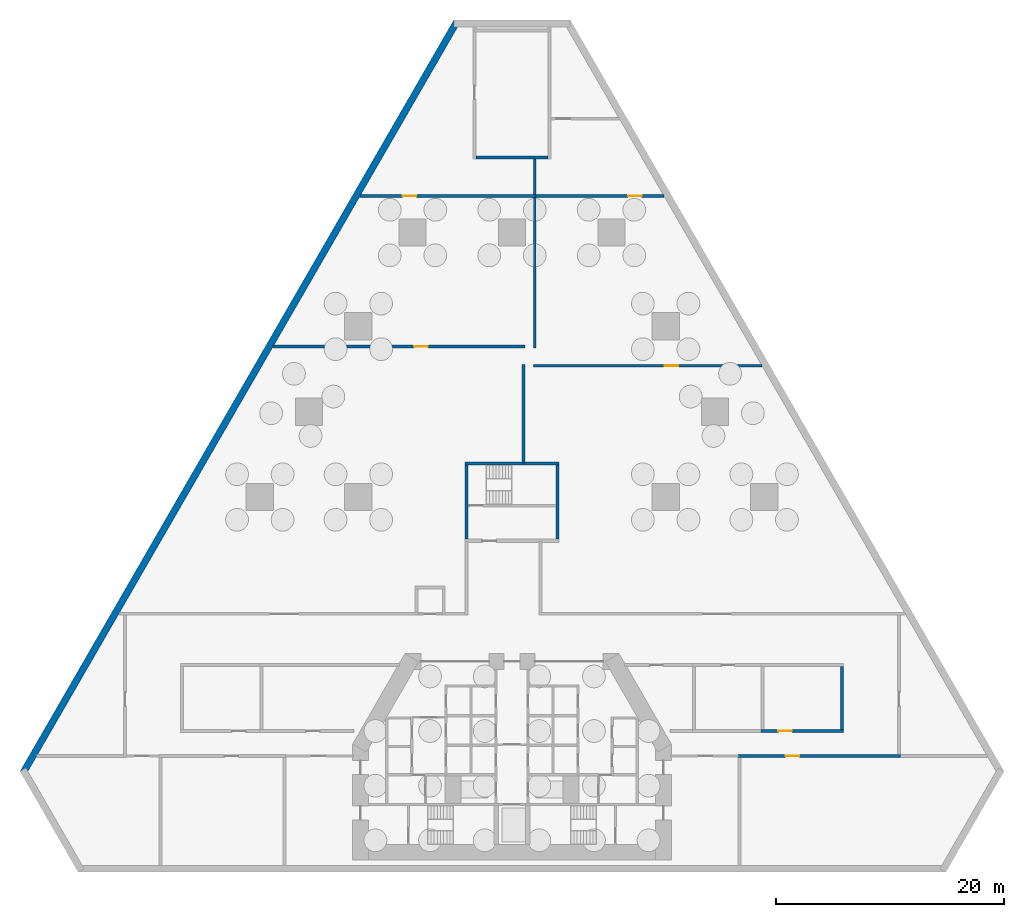
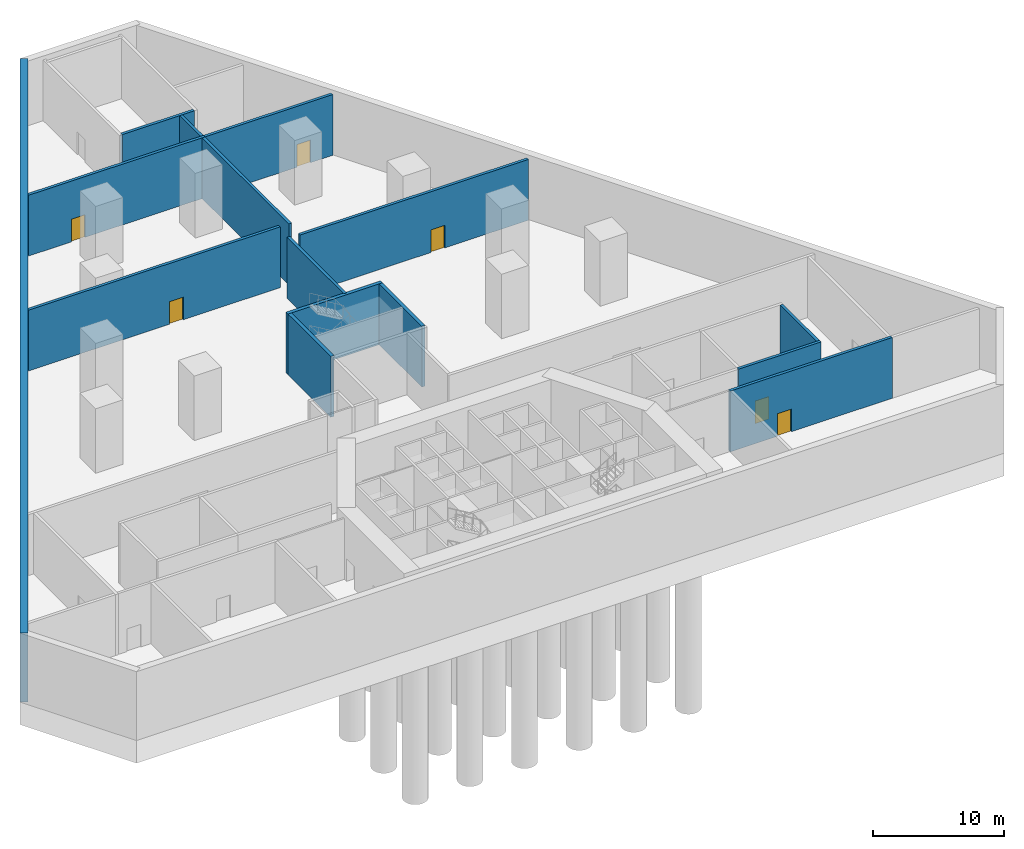
# One storey, part 5 of 8: 15 walls, 6 doors, 6 openings.
"""IFC4 building model written with IfcOpenShell, lengths in metres."""

import ifcopenshell
import ifcopenshell.guid

model = None  # the IFC model being written
_history = None  # IfcOwnerHistory: only IFC2X3 demands one
_inside = {}  # id of a spatial element -> (the spatial element, [elements in it])
_under = {}  # id of a project, library or spatial element -> (it, [spatial elements below it])
_declared = {}  # id of a project -> (the project, [libraries it declares])
_typed = {}  # id of a type object -> (the type object, [elements of that type])
_made_of = {}  # id of a material, layer set ... -> (it, [elements and type objects made of it])


def new_model(schema):
    """Start an empty IFC model of exactly this schema.

    Asked for "IFC4X3", IfcOpenShell would pick the latest addendum, in which some entities
    have other attributes; the version numbers below select the first issue.
    IFC2X3 requires an IfcOwnerHistory on every rooted entity: one is made here for all.
    """
    global model, _history
    if schema == "IFC4X3":
        model = ifcopenshell.file(schema_version=(4, 3, 0, 0))
    else:
        model = ifcopenshell.file(schema=schema)
    _inside.clear()
    _under.clear()
    _declared.clear()
    _typed.clear()
    _made_of.clear()
    _history = None
    if model.schema == "IFC2X3":
        org = make("IfcOrganization", Name="unknown")
        user = make(
            "IfcPersonAndOrganization",
            ThePerson=make("IfcPerson", FamilyName="unknown"),
            TheOrganization=org,
        )
        app = make(
            "IfcApplication",
            ApplicationDeveloper=org,
            Version="unknown",
            ApplicationFullName="unknown",
            ApplicationIdentifier="unknown",
        )
        _history = make(
            "IfcOwnerHistory",
            OwningUser=user,
            OwningApplication=app,
            ChangeAction="ADDED",
            CreationDate=0,
        )
    return model


def make(cls, **values):
    """One entity of the class cls with the attributes given. An attribute that is None is left unset."""
    return model.create_entity(
        cls, **{name: value for name, value in values.items() if value is not None}
    )


def rooted(cls, **values):
    """An entity with a GlobalId (a new one), such as an element, a storey or a relation."""
    return make(cls, GlobalId=ifcopenshell.guid.new(), OwnerHistory=_history, **values)


def si_unit(unit_type, name, prefix=None):
    """IfcSIUnit, for example si_unit("LENGTHUNIT", "METRE", prefix="MILLI")."""
    return make("IfcSIUnit", UnitType=unit_type, Prefix=prefix, Name=name)


def assignment(units):
    """IfcUnitAssignment: the units of a project."""
    return None if units is None else make("IfcUnitAssignment", Units=units)


def point(xyz):
    """IfcCartesianPoint."""
    return None if xyz is None else make("IfcCartesianPoint", Coordinates=xyz)


def direction(xyz):
    """IfcDirection."""
    return None if xyz is None else make("IfcDirection", DirectionRatios=xyz)


def frame(location, z_axis=None, x_axis=None):
    """IfcAxis2Placement3D, a coordinate frame: its origin and axes. An axis left out is left unset."""
    return make(
        "IfcAxis2Placement3D",
        Location=point(location),
        Axis=direction(z_axis),
        RefDirection=direction(x_axis),
    )


def frame_2d(location, x_axis=None):
    """IfcAxis2Placement2D, a coordinate frame in the plane: its origin and x axis."""
    return make(
        "IfcAxis2Placement2D", Location=point(location), RefDirection=direction(x_axis)
    )


def origin():
    """The frame at (0, 0, 0) with its axes left unset."""
    return frame((0.0, 0.0, 0.0))


def place(relative_to, where):
    """IfcLocalPlacement: puts the frame where relative to a parent placement (None: the world)."""
    return make(
        "IfcLocalPlacement", PlacementRelTo=relative_to, RelativePlacement=where
    )


def context(
    kind, dimensions, precision=None, world=None, true_north=None, identifier=None
):
    """IfcGeometricRepresentationContext, for example the 3D "Model" context."""
    return make(
        "IfcGeometricRepresentationContext",
        ContextIdentifier=identifier,
        ContextType=kind,
        CoordinateSpaceDimension=dimensions,
        Precision=precision,
        WorldCoordinateSystem=world,
        TrueNorth=true_north,
    )


def subcontext(parent, identifier, kind, view, scale=None):
    """IfcGeometricRepresentationSubContext, for example "Body" below "Model"."""
    return make(
        "IfcGeometricRepresentationSubContext",
        ContextIdentifier=identifier,
        ContextType=kind,
        ParentContext=parent,
        TargetScale=scale,
        TargetView=view,
    )


def project(units=None, contexts=None):
    """IfcProject with its units and contexts."""
    return rooted(
        "IfcProject",
        Name="project",
        RepresentationContexts=contexts,
        UnitsInContext=assignment(units),
    )


def spatial(cls, under=None, at=None, **own):
    """A site, building, storey or space (cls), placed at a placement, below another one or the project."""
    s = rooted(cls, ObjectPlacement=at, **own)
    if under is not None:
        _under.setdefault(under.id(), (under, []))[1].append(s)
    return s


def profile(cls, at=None, kind="AREA", **sizes):
    """A parametric profile (cls). Its sizes go by their IFC names, for example OverallWidth=200.0."""
    return make(cls, ProfileType=kind, Position=at, **sizes)


def rectangle(**sizes):
    """IfcRectangleProfileDef."""
    return profile("IfcRectangleProfileDef", **sizes)


def extrude(swept, where, along, depth):
    """IfcExtrudedAreaSolid: the profile swept, set in the frame where, extruded along a direction by depth."""
    return make(
        "IfcExtrudedAreaSolid",
        SweptArea=swept,
        Position=where,
        ExtrudedDirection=direction(along),
        Depth=depth,
    )


def shape(context_of_items, identifier, shape_type, items):
    """IfcShapeRepresentation: the items that make up one representation, for example the "Body"."""
    return make(
        "IfcShapeRepresentation",
        ContextOfItems=context_of_items,
        RepresentationIdentifier=identifier,
        RepresentationType=shape_type,
        Items=items,
    )


def material(Name=None, Category=None):
    """IfcMaterial."""
    return make("IfcMaterial", Name=Name, Category=Category)


def layer(
    of_material, thickness, ventilated=None, Name=None, Category=None, Priority=None
):
    """IfcMaterialLayer: one layer of a wall or slab, of a material (None: an air gap)."""
    return make(
        "IfcMaterialLayer",
        Material=of_material,
        LayerThickness=thickness,
        IsVentilated=ventilated,
        Name=Name,
        Category=Category,
        Priority=Priority,
    )


def layer_set(layers, Name=None):
    """IfcMaterialLayerSet."""
    return make("IfcMaterialLayerSet", MaterialLayers=layers, LayerSetName=Name)


def made_of(thing, what):
    """Note that an element or type object is made of a material, layer set ...; save() writes the relation."""
    if what is not None:
        _made_of.setdefault(what.id(), (what, []))[1].append(thing)
    return thing


def type_object(cls, material=None, **own):
    """A type object (cls), such as IfcWallType, which elements share."""
    return made_of(rooted(cls, **own), material)


def element(
    cls,
    number,
    at=None,
    inside=None,
    cuts=None,
    type_object=None,
    material=None,
    context=None,
    identifier="Body",
    shape_type=None,
    held_by="IfcProductDefinitionShape",
    body=None,
    shapes=None,
    **own,
):
    """One element of the class cls, such as IfcWall. Its Tag is "e" and its number.

    at: its placement. inside: the storey or other place that contains it. cuts: it is an
    opening in that element (IfcRelVoidsElement). A single representation is given by context,
    identifier, shape_type and body (its items); several are given by shapes. held_by: the class
    of the entity that holds the representations. save() writes the other relations.
    """
    e = rooted(cls, Tag="e%d" % number, ObjectPlacement=at, **own)
    if body is not None:
        shapes = [shape(context, identifier, shape_type, body)]
    if shapes is not None:
        e.Representation = make(held_by, Representations=shapes)
    if inside is not None:
        _inside.setdefault(inside.id(), (inside, []))[1].append(e)
    if cuts is not None:
        rooted(
            "IfcRelVoidsElement", RelatingBuildingElement=cuts, RelatedOpeningElement=e
        )
    if type_object is not None:
        _typed.setdefault(type_object.id(), (type_object, []))[1].append(e)
    return made_of(e, material)


def fill(opening, filler):
    """IfcRelFillsElement: the door or window that sits in an opening."""
    return rooted(
        "IfcRelFillsElement",
        RelatingOpeningElement=opening,
        RelatedBuildingElement=filler,
    )


def aggregate(whole, parts):
    """IfcRelAggregates: a whole, such as a stair, and the parts it consists of."""
    return rooted("IfcRelAggregates", RelatingObject=whole, RelatedObjects=parts)


def save(model, path):
    """Write the relations noted so far, then the file.

    IfcRelAggregates (storeys below a building ...), IfcRelContainedInSpatialStructure (elements
    in a storey), IfcRelDefinesByType, IfcRelAssociatesMaterial and IfcRelDeclares: one each for
    every whole, place, type object, material and project.
    """
    for whole, parts in _under.values():
        aggregate(whole, parts)
    for where, things in _inside.values():
        rooted(
            "IfcRelContainedInSpatialStructure",
            RelatedElements=things,
            RelatingStructure=where,
        )
    for kind, things in _typed.values():
        rooted("IfcRelDefinesByType", RelatedObjects=things, RelatingType=kind)
    for what, things in _made_of.values():
        rooted("IfcRelAssociatesMaterial", RelatedObjects=things, RelatingMaterial=what)
    for by, libraries in _declared.values():
        rooted("IfcRelDeclares", RelatingContext=by, RelatedDefinitions=libraries)
    model.write(path)


model = new_model("IFC4")

# Units and contexts
model_context = context("Model", 3, precision=1e-05, world=origin(), true_north=direction((0.0, 1.0)))
body_context = subcontext(model_context, "Body", "Model", "MODEL_VIEW")
ifc_project = project(units=[si_unit("LENGTHUNIT", "METRE"), si_unit("AREAUNIT", "SQUARE_METRE"), si_unit("VOLUMEUNIT", "CUBIC_METRE"), si_unit("PLANEANGLEUNIT", "RADIAN"), si_unit("MASSUNIT", "GRAM", prefix="KILO")], contexts=[model_context])

# Site, building, storey
site_placement = place(None, origin())
site = spatial("IfcSite", under=ifc_project, at=site_placement, CompositionType="ELEMENT")
building_placement = place(site_placement, origin())
building = spatial("IfcBuilding", under=site, at=building_placement, Name="Fogline Exchange Tower", CompositionType="ELEMENT")
storey_placement = place(building_placement, frame((0.0, 0.0, -14.0)))
storey = spatial("IfcBuildingStorey", under=building, at=storey_placement, Name="B2", CompositionType="ELEMENT", Elevation=-14.0)

# Walls
ifc_material_1 = material(Name="Concrete C40", Category="concrete")
ifc_layer_1 = layer(ifc_material_1, 0.300048828125)
ifc_layer_set_1 = layer_set([ifc_layer_1], Name="CW30")
wall_type_1 = type_object("IfcWallType", Name="CW30", PredefinedType="SOLIDWALL", material=ifc_layer_set_1)
wall_1_placement = place(storey_placement, frame((-4.14990234375, 35.70703125, 0.0), z_axis=(0.0, 0.0, 1.0), x_axis=(1.0, 0.0, 0.0)))
element("IfcWall", 1, at=wall_1_placement, inside=storey, type_object=wall_type_1, Name="Stair enclosure wall ST3", PredefinedType="SOLIDWALL", context=body_context, shape_type="SweptSolid", body=[
    extrude(rectangle(XDim=8.2998046875, YDim=0.300048828125, at=frame_2d((4.14990234375, 0.0))), origin(), (0.0, 0.0, 1.0), 5.64990234375),
])
for number, where, z_axis, x_axis, name in (
    (2, (-4.0, 29.056884765625, 0.0), (0.0, 0.0, 1.0), (0.0, 1.0, 0.0), "Stair enclosure wall ST3"),
    (3, (4.0, 29.056884765625, 0.0), (0.0, 0.0, 1.0), (0.0, 1.0, 0.0), "Stair enclosure wall ST3"),
):
    element("IfcWall", number, at=place(storey_placement, frame(where, z_axis=z_axis, x_axis=x_axis)), inside=storey, type_object=wall_type_1, Name=name, PredefinedType="SOLIDWALL", context=body_context, shape_type="SweptSolid", body=[
        extrude(rectangle(XDim=6.5, YDim=0.300048828125, at=frame_2d((3.25, 0.0))), origin(), (0.0, 0.0, 1.0), 5.64990234375),
    ])

# Wall, opening, door
ifc_layer_2 = layer(ifc_material_1, 0.25)
ifc_layer_set_2 = layer_set([ifc_layer_2], Name="PP3")
wall_type_2 = type_object("IfcWallType", Name="PP3", PredefinedType="SOLIDWALL", material=ifc_layer_set_2)
wall_2_placement = place(storey_placement, frame((34.125, 10.0, 0.0), z_axis=(0.0, 0.0, 1.0), x_axis=(-1.0, 0.0, 0.0)))
wall_2 = element("IfcWall", 4, at=wall_2_placement, inside=storey, type_object=wall_type_2, Name="PP3 partition", PredefinedType="SOLIDWALL", context=body_context, shape_type="SweptSolid", body=[
    extrude(rectangle(XDim=14.25, YDim=0.25, at=frame_2d((7.125, 0.0))), origin(), (0.0, 0.0, 1.0), 5.64990234375),
])
opening_1_placement = place(wall_2_placement, frame((8.875, 0.0, 0.0)))
opening_1 = element("IfcOpeningElement", 5, at=opening_1_placement, cuts=wall_2, Name="Opening B2-D005", PredefinedType="OPENING", context=body_context, shape_type="SweptSolid", body=[
    extrude(rectangle(XDim=1.199951171875, YDim=2.10009765625, at=frame_2d((0.60009765625, 1.050048828125))), frame((0.0, 0.135009765625, 0.0), z_axis=(0.0, -1.0, 0.0), x_axis=(1.0, 0.0, 0.0)), (0.0, 0.0, 1.0), 0.27001953125),
])
ifc_material_2 = material(Name="Steel Q235B", Category="steel")
door_type = type_object("IfcDoorType", Name="PD7", OperationType="SINGLE_SWING_LEFT", PredefinedType="DOOR", material=ifc_material_2)
door_1_placement = place(opening_1_placement, origin())
door_1 = element("IfcDoor", 6, at=door_1_placement, inside=storey, type_object=door_type, Name="B2-D005", OperationType="SINGLE_SWING_RIGHT", OverallHeight=2.10009765625, OverallWidth=1.199951171875, PredefinedType="DOOR", context=body_context, shape_type="SweptSolid", body=[
    extrude(rectangle(XDim=1.199951171875, YDim=2.10009765625, at=frame_2d((0.60009765625, 1.050048828125))), frame((0.0, 0.02490234375, 0.0), z_axis=(0.0, -1.0, 0.0), x_axis=(1.0, 0.0, 0.0)), (0.0, 0.0, 1.0), 0.050048828125),
])
fill(opening_1, door_1)

wall_3_placement = place(storey_placement, frame((21.875, 12.199951171875, 0.0), z_axis=(0.0, 0.0, 1.0), x_axis=(1.0, 0.0, 0.0)))
wall_3 = element("IfcWall", 7, at=wall_3_placement, inside=storey, type_object=wall_type_2, Name="PP3 partition", PredefinedType="SOLIDWALL", context=body_context, shape_type="SweptSolid", body=[
    extrude(rectangle(XDim=7.25, YDim=0.25, at=frame_2d((3.625, 0.0))), origin(), (0.0, 0.0, 1.0), 5.64990234375),
])
opening_2_placement = place(wall_3_placement, frame((1.52490234375, 0.0, 0.0)))
opening_2 = element("IfcOpeningElement", 8, at=opening_2_placement, cuts=wall_3, Name="Opening B2-D008", PredefinedType="OPENING", context=body_context, shape_type="SweptSolid", body=[
    extrude(rectangle(XDim=1.199951171875, YDim=2.10009765625, at=frame_2d((0.60009765625, 1.050048828125))), frame((0.0, 0.135009765625, 0.0), z_axis=(0.0, -1.0, 0.0), x_axis=(1.0, 0.0, 0.0)), (0.0, 0.0, 1.0), 0.27001953125),
])
door_2_placement = place(opening_2_placement, origin())
door_2 = element("IfcDoor", 9, at=door_2_placement, inside=storey, type_object=door_type, Name="B2-D008", OperationType="SINGLE_SWING_LEFT", OverallHeight=2.10009765625, OverallWidth=1.199951171875, PredefinedType="DOOR", context=body_context, shape_type="SweptSolid", body=[
    extrude(rectangle(XDim=1.199951171875, YDim=2.10009765625, at=frame_2d((0.60009765625, 1.050048828125))), frame((0.0, 0.02490234375, 0.0), z_axis=(0.0, -1.0, 0.0), x_axis=(1.0, 0.0, 0.0)), (0.0, 0.0, 1.0), 0.050048828125),
])
fill(opening_2, door_2)

# Wall
wall_4_placement = place(storey_placement, frame((29.0, 12.324951171875, 0.0), z_axis=(0.0, 0.0, 1.0), x_axis=(0.0, 1.0, 0.0)))
element("IfcWall", 10, at=wall_4_placement, inside=storey, type_object=wall_type_2, Name="PP3 partition", PredefinedType="SOLIDWALL", context=body_context, shape_type="SweptSolid", body=[
    extrude(rectangle(XDim=5.550048828125, YDim=0.25, at=frame_2d((2.77490234375, 0.0))), origin(), (0.0, 0.0, 1.0), 5.64990234375),
])

# Wall, opening, door
wall_5_placement = place(storey_placement, frame((1.875, 44.300048828125, 0.0), z_axis=(0.0, 0.0, 1.0), x_axis=(1.0, 0.0, 0.0)))
wall_5 = element("IfcWall", 11, at=wall_5_placement, inside=storey, type_object=wall_type_2, Name="PP3 partition", PredefinedType="SOLIDWALL", context=body_context, shape_type="SweptSolid", body=[
    extrude(rectangle(XDim=20.08642578125, YDim=0.25, at=frame_2d((10.043212890625, 0.0))), origin(), (0.0, 0.0, 1.0), 5.64990234375),
])
opening_3_placement = place(wall_5_placement, frame((11.52490234375, 0.0, 0.0)))
opening_3 = element("IfcOpeningElement", 12, at=opening_3_placement, cuts=wall_5, Name="Opening B2-D018", PredefinedType="OPENING", context=body_context, shape_type="SweptSolid", body=[
    extrude(rectangle(XDim=1.199951171875, YDim=2.10009765625, at=frame_2d((0.60009765625, 1.050048828125))), frame((0.0, 0.135009765625, 0.0), z_axis=(0.0, -1.0, 0.0), x_axis=(1.0, 0.0, 0.0)), (0.0, 0.0, 1.0), 0.27001953125),
])
door_3_placement = place(opening_3_placement, origin())
door_3 = element("IfcDoor", 13, at=door_3_placement, inside=storey, type_object=door_type, Name="B2-D018", OperationType="SINGLE_SWING_RIGHT", OverallHeight=2.10009765625, OverallWidth=1.199951171875, PredefinedType="DOOR", context=body_context, shape_type="SweptSolid", body=[
    extrude(rectangle(XDim=1.199951171875, YDim=2.10009765625, at=frame_2d((0.60009765625, 1.050048828125))), frame((0.0, 0.02490234375, 0.0), z_axis=(0.0, -1.0, 0.0), x_axis=(1.0, 0.0, 0.0)), (0.0, 0.0, 1.0), 0.050048828125),
])
fill(opening_3, door_3)

# Wall
wall_6_placement = place(storey_placement, frame((1.0, 44.425048828125, 0.0), z_axis=(0.0, 0.0, 1.0), x_axis=(0.0, -1.0, 0.0)))
element("IfcWall", 14, at=wall_6_placement, inside=storey, type_object=wall_type_2, Name="PP3 partition", PredefinedType="SOLIDWALL", context=body_context, shape_type="SweptSolid", body=[
    extrude(rectangle(XDim=8.6630859375, YDim=0.25, at=frame_2d((4.33154296875, 0.0))), origin(), (0.0, 0.0, 1.0), 5.64990234375),
])

# Wall, opening, door
wall_7_placement = place(storey_placement, frame((-20.97998046875, 46.0, 0.0), z_axis=(0.0, 0.0, 1.0), x_axis=(1.0, 0.0, 0.0)))
wall_7 = element("IfcWall", 15, at=wall_7_placement, inside=storey, type_object=wall_type_2, Name="PP3 partition", PredefinedType="SOLIDWALL", context=body_context, shape_type="SweptSolid", body=[
    extrude(rectangle(XDim=22.10498046875, YDim=0.25, at=frame_2d((11.052490234375, 0.0))), origin(), (0.0, 0.0, 1.0), 5.64990234375),
])
opening_4_placement = place(wall_7_placement, frame((12.3798828125, 0.0, 0.0)))
opening_4 = element("IfcOpeningElement", 16, at=opening_4_placement, cuts=wall_7, Name="Opening B2-D016", PredefinedType="OPENING", context=body_context, shape_type="SweptSolid", body=[
    extrude(rectangle(XDim=1.199951171875, YDim=2.10009765625, at=frame_2d((0.60009765625, 1.050048828125))), frame((0.0, 0.135009765625, 0.0), z_axis=(0.0, -1.0, 0.0), x_axis=(1.0, 0.0, 0.0)), (0.0, 0.0, 1.0), 0.27001953125),
])
door_4_placement = place(opening_4_placement, origin())
door_4 = element("IfcDoor", 17, at=door_4_placement, inside=storey, type_object=door_type, Name="B2-D016", OperationType="SINGLE_SWING_RIGHT", OverallHeight=2.10009765625, OverallWidth=1.199951171875, PredefinedType="DOOR", context=body_context, shape_type="SweptSolid", body=[
    extrude(rectangle(XDim=1.199951171875, YDim=2.10009765625, at=frame_2d((0.60009765625, 1.050048828125))), frame((0.0, 0.02490234375, 0.0), z_axis=(0.0, -1.0, 0.0), x_axis=(1.0, 0.0, 0.0)), (0.0, 0.0, 1.0), 0.050048828125),
])
fill(opening_4, door_4)

# Wall
wall_8_placement = place(storey_placement, frame((2.0, 59.074951171875, 0.0), z_axis=(0.0, 0.0, 1.0), x_axis=(0.0, -1.0, 0.0)))
element("IfcWall", 18, at=wall_8_placement, inside=storey, type_object=wall_type_2, Name="PP3 partition", PredefinedType="SOLIDWALL", context=body_context, shape_type="SweptSolid", body=[
    extrude(rectangle(XDim=13.199951171875, YDim=0.25, at=frame_2d((6.60009765625, 0.0))), origin(), (0.0, 0.0, 1.0), 5.64990234375),
])

# Wall, opening, door
wall_9_placement = place(storey_placement, frame((-13.35888671875, 59.199951171875, 0.0), z_axis=(0.0, 0.0, 1.0), x_axis=(1.0, 0.0, 0.0)))
wall_9 = element("IfcWall", 19, at=wall_9_placement, inside=storey, type_object=wall_type_2, Name="PP3 partition", PredefinedType="SOLIDWALL", context=body_context, shape_type="SweptSolid", body=[
    extrude(rectangle(XDim=15.48388671875, YDim=0.25, at=frame_2d((7.741943359375, 0.0))), origin(), (0.0, 0.0, 1.0), 5.64990234375),
])
opening_5_placement = place(wall_9_placement, frame((3.759033203125, 0.0, 0.0)))
opening_5 = element("IfcOpeningElement", 20, at=opening_5_placement, cuts=wall_9, Name="Opening B2-D017", PredefinedType="OPENING", context=body_context, shape_type="SweptSolid", body=[
    extrude(rectangle(XDim=1.199951171875, YDim=2.10009765625, at=frame_2d((0.60009765625, 1.050048828125))), frame((0.0, 0.135009765625, 0.0), z_axis=(0.0, -1.0, 0.0), x_axis=(1.0, 0.0, 0.0)), (0.0, 0.0, 1.0), 0.27001953125),
])
door_5_placement = place(opening_5_placement, origin())
door_5 = element("IfcDoor", 21, at=door_5_placement, inside=storey, type_object=door_type, Name="B2-D017", OperationType="SINGLE_SWING_LEFT", OverallHeight=2.10009765625, OverallWidth=1.199951171875, PredefinedType="DOOR", context=body_context, shape_type="SweptSolid", body=[
    extrude(rectangle(XDim=1.199951171875, YDim=2.10009765625, at=frame_2d((0.60009765625, 1.050048828125))), frame((0.0, 0.02490234375, 0.0), z_axis=(0.0, -1.0, 0.0), x_axis=(1.0, 0.0, 0.0)), (0.0, 0.0, 1.0), 0.050048828125),
])
fill(opening_5, door_5)

wall_10_placement = place(storey_placement, frame((2.125, 59.199951171875, 0.0), z_axis=(0.0, 0.0, 1.0), x_axis=(1.0, 0.0, 0.0)))
wall_10 = element("IfcWall", 22, at=wall_10_placement, inside=storey, type_object=wall_type_2, Name="PP3 partition", PredefinedType="SOLIDWALL", context=body_context, shape_type="SweptSolid", body=[
    extrude(rectangle(XDim=11.23388671875, YDim=0.25, at=frame_2d((5.616943359375, 0.0))), origin(), (0.0, 0.0, 1.0), 5.64990234375),
])
opening_6_placement = place(wall_10_placement, frame((8.074951171875, 0.0, 0.0)))
opening_6 = element("IfcOpeningElement", 23, at=opening_6_placement, cuts=wall_10, Name="Opening B2-D019", PredefinedType="OPENING", context=body_context, shape_type="SweptSolid", body=[
    extrude(rectangle(XDim=1.199951171875, YDim=2.10009765625, at=frame_2d((0.60009765625, 1.050048828125))), frame((0.0, 0.135009765625, 0.0), z_axis=(0.0, -1.0, 0.0), x_axis=(1.0, 0.0, 0.0)), (0.0, 0.0, 1.0), 0.27001953125),
])
door_6_placement = place(opening_6_placement, origin())
door_6 = element("IfcDoor", 24, at=door_6_placement, inside=storey, type_object=door_type, Name="B2-D019", OperationType="SINGLE_SWING_RIGHT", OverallHeight=2.10009765625, OverallWidth=1.199951171875, PredefinedType="DOOR", context=body_context, shape_type="SweptSolid", body=[
    extrude(rectangle(XDim=1.199951171875, YDim=2.10009765625, at=frame_2d((0.60009765625, 1.050048828125))), frame((0.0, 0.02490234375, 0.0), z_axis=(0.0, -1.0, 0.0), x_axis=(1.0, 0.0, 0.0)), (0.0, 0.0, 1.0), 0.050048828125),
])
fill(opening_6, door_6)

# Walls
wall_11_placement = place(storey_placement, frame((2.0, 62.47509765625, 0.0), z_axis=(0.0, 0.0, 1.0), x_axis=(0.0, -1.0, 0.0)))
element("IfcWall", 25, at=wall_11_placement, inside=storey, type_object=wall_type_2, Name="PP3 partition", PredefinedType="SOLIDWALL", context=body_context, shape_type="SweptSolid", body=[
    extrude(rectangle(XDim=3.150146484375, YDim=0.25, at=frame_2d((1.5751953125, 0.0))), origin(), (0.0, 0.0, 1.0), 5.64990234375),
])
ifc_layer_3 = layer(ifc_material_1, 0.25)
ifc_layer_set_3 = layer_set([ifc_layer_3], Name="PP6")
wall_type_3 = type_object("IfcWallType", Name="PP6", PredefinedType="SOLIDWALL", material=ifc_layer_set_3)
wall_12_placement = place(storey_placement, frame((3.175048828125, 62.60009765625, 0.0), z_axis=(0.0, 0.0, 1.0), x_axis=(-1.0, 0.0, 0.0)))
element("IfcWall", 26, at=wall_12_placement, inside=storey, type_object=wall_type_3, Name="PP6 bearing wall", PredefinedType="SOLIDWALL", context=body_context, shape_type="SweptSolid", body=[
    extrude(rectangle(XDim=6.35009765625, YDim=0.25, at=frame_2d((3.175048828125, 0.0))), origin(), (0.0, 0.0, 1.0), 5.64990234375),
])
ifc_layer_4 = layer(ifc_material_1, 0.60009765625)
ifc_layer_set_4 = layer_set([ifc_layer_4], Name="RW01")
wall_type_4 = type_object("IfcWallType", Name="RW01", PredefinedType="SOLIDWALL", material=ifc_layer_set_4)
wall_13_placement = place(storey_placement, frame((-4.855712890625, 74.5283203125, -0.39990234375), z_axis=(0.0, 0.0, 1.0), x_axis=(-0.499999312333, -0.866025800809, 0.0)))
element("IfcWall", 27, at=wall_13_placement, inside=storey, type_object=wall_type_4, Name="B2-W906", PredefinedType="SOLIDWALL", context=body_context, shape_type="SweptSolid", body=[
    extrude(rectangle(XDim=76.23095703125, YDim=0.60009765625, at=frame_2d((38.115478515625, 0.0))), origin(), (0.0, 0.0, 1.0), 6.39990234375),
])

save(model, "model.ifc")
